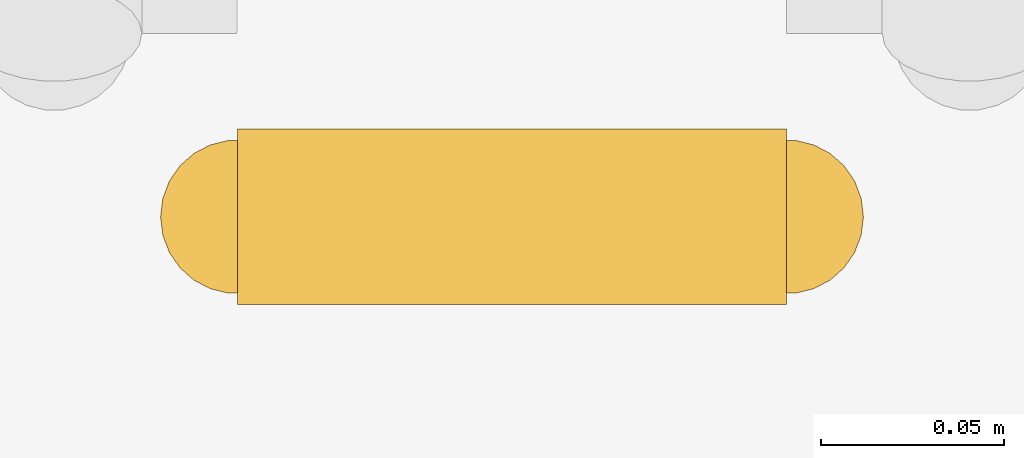
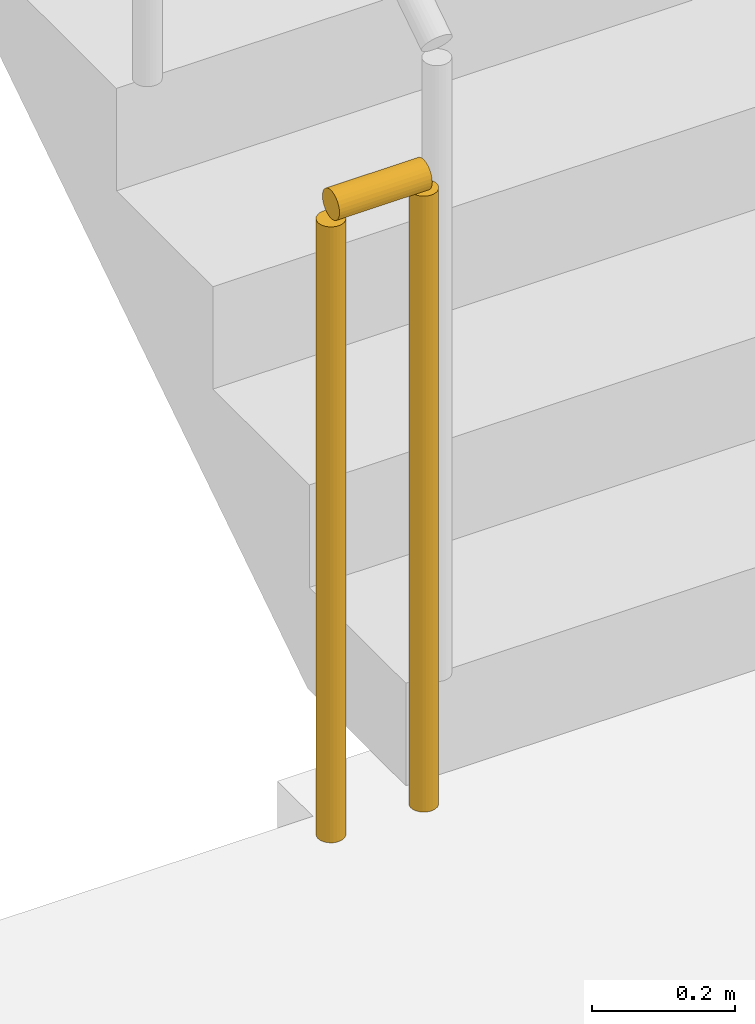
# One storey, part 15 of 20: 1 railing.
"""IFC4 building model written with IfcOpenShell, lengths in metres."""

from ifc_helpers import new_model, si_unit, direction, frame, origin, origin_2d, place, context, subcontext, project, spatial, circle, extrude, material, type_object, element, save


model = new_model("IFC4")

# Units and contexts
model_context = context("Model", 3, precision=1e-05, world=origin(), true_north=direction((0.0, 1.0)))
body_context = subcontext(model_context, "Body", "Model", "MODEL_VIEW")
ifc_project = project(units=[si_unit("LENGTHUNIT", "METRE"), si_unit("AREAUNIT", "SQUARE_METRE"), si_unit("VOLUMEUNIT", "CUBIC_METRE"), si_unit("PLANEANGLEUNIT", "RADIAN"), si_unit("MASSUNIT", "GRAM", prefix="KILO")], contexts=[model_context])

# Site, building, storey
site_placement = place(None, origin())
site = spatial("IfcSite", under=ifc_project, at=site_placement, CompositionType="ELEMENT")
building_placement = place(site_placement, origin())
building = spatial("IfcBuilding", under=site, at=building_placement, Name="Saffron Iwan Residences", CompositionType="ELEMENT")
storey_placement = place(building_placement, frame((0.0, 0.0, 202.5)))
storey = spatial("IfcBuildingStorey", under=building, at=storey_placement, Name="L54", CompositionType="ELEMENT", Elevation=202.5)

# Railing
ifc_material = material(Name="Steel S355", Category="steel")
railing_type = type_object("IfcRailingType", Name="Stair guard 1100", PredefinedType="GUARDRAIL", material=ifc_material)
railing_placement = place(storey_placement, frame((31.25, 67.800048828125, 0.0)))
element("IfcRailing", 1, at=railing_placement, inside=storey, type_object=railing_type, Name="L54 ST-W stair guard 2", PredefinedType="GUARDRAIL", context=body_context, shape_type="SweptSolid", body=[
    extrude(circle(Radius=0.02392578125, at=origin_2d()), frame((0.0, 0.0, 1.076171875), z_axis=(-1.0, 0.0, 0.0), x_axis=(0.0, -1.0, 0.0)), (0.0, 0.0, 1.0), 0.14990234375),
    extrude(circle(Radius=0.02099609375, at=origin_2d()), origin(), (0.0, 0.0, 1.0), 1.052001953125),
    extrude(circle(Radius=0.02099609375, at=origin_2d()), frame((-0.14990234375, 0.0, 0.0)), (0.0, 0.0, 1.0), 1.052001953125),
])

save(model, "model.ifc")
